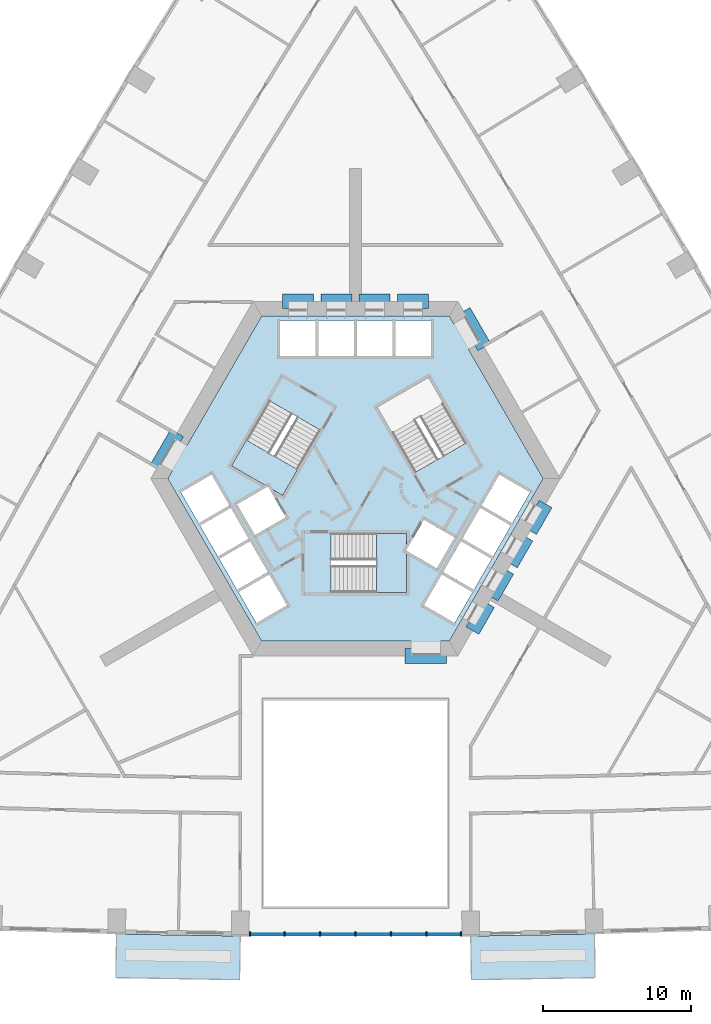
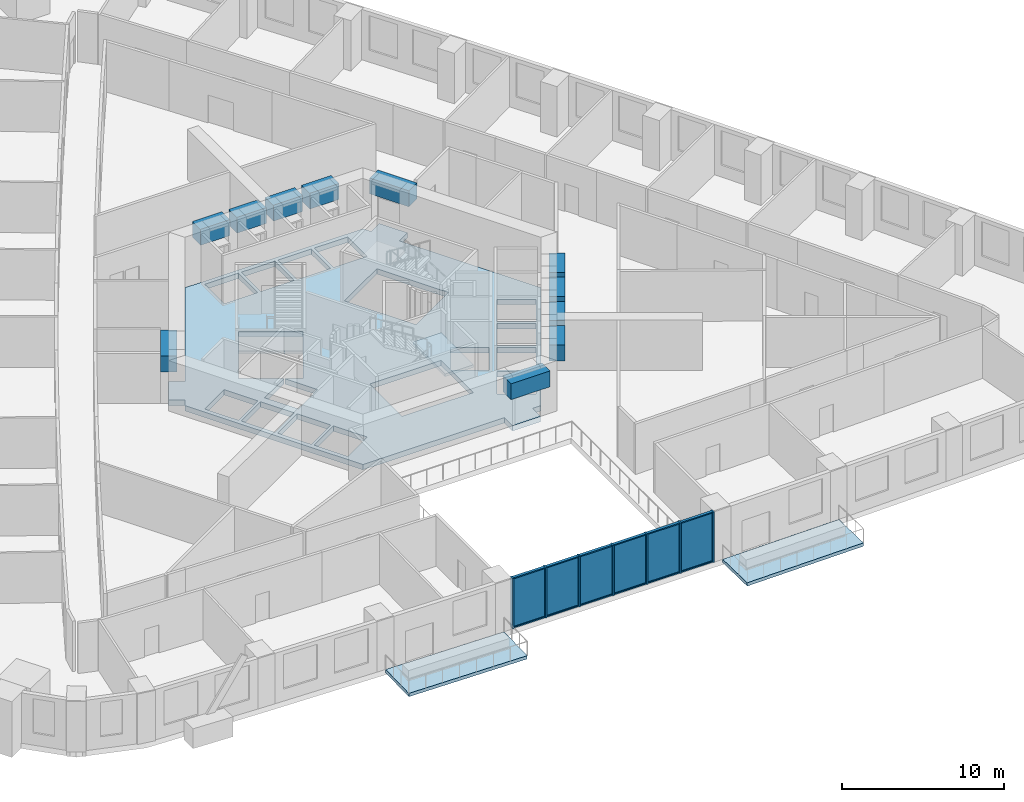
# One storey, part 2 of 15: 19 members, 11 beams, 6 plates, 5 slabs, 3 elements without a shape of their own.
"""IFC4 building model written with IfcOpenShell, lengths in metres."""

from ifc_helpers import new_model, si_unit, direction, frame, origin, origin_2d, place, context, subcontext, project, spatial, polyline, rectangle, outline, extrude, material, layer, layer_set, material_profile, profile_set, type_object, element, aggregate, save


model = new_model("IFC4")

# Units and contexts
model_context = context("Model", 3, precision=1e-05, world=origin(), true_north=direction((0.0, 1.0)))
body_context = subcontext(model_context, "Body", "Model", "MODEL_VIEW")
ifc_project = project(units=[si_unit("LENGTHUNIT", "METRE"), si_unit("AREAUNIT", "SQUARE_METRE"), si_unit("VOLUMEUNIT", "CUBIC_METRE"), si_unit("PLANEANGLEUNIT", "RADIAN"), si_unit("MASSUNIT", "GRAM", prefix="KILO")], contexts=[model_context])

# Site, building, storey
site_placement = place(None, origin())
site = spatial("IfcSite", under=ifc_project, at=site_placement, CompositionType="ELEMENT")
building_placement = place(site_placement, origin())
building = spatial("IfcBuilding", under=site, at=building_placement, Name="Entoto Arch Interchange Tower", CompositionType="ELEMENT")
storey_placement = place(building_placement, frame((0.0, 0.0, 39.199951171875)))
storey = spatial("IfcBuildingStorey", under=building, at=storey_placement, Name="L07", CompositionType="ELEMENT", Elevation=39.199951171875)

# Beams
ifc_material_1 = material(Name="Concrete C60/75", Category="concrete")
ifc_material_profile_1 = material_profile(ifc_material_1, rectangle(XDim=1.0, YDim=1.199951171875, at=origin_2d()))
ifc_profile_set_1 = profile_set([ifc_material_profile_1], Name="Concrete C60/75")
beam_type = type_object("IfcBeamType", Name="Coupling beam RC 1000x1200 C60/75", PredefinedType="BEAM", material=ifc_profile_set_1)
beam_1_placement = place(storey_placement, frame((8.717041015625, 11.402099609375, 3.0), z_axis=(-0.500200581029, 0.865909567298, 0.0), x_axis=(-0.865909567298, -0.500200581029, 0.0)))
element("IfcBeam", 1, at=beam_1_placement, inside=storey, type_object=beam_type, Name="Coupling beam NE L07", PredefinedType="BEAM", context=body_context, shape_type="SweptSolid", body=[
    extrude(rectangle(XDim=1.0, YDim=1.199951171875, at=origin_2d()), origin(), (0.0, 0.0, 1.0), 2.799072265625),
])
beam_2_placement = place(storey_placement, frame((4.949951171875, 14.5, 3.0), z_axis=(-1.0, 0.0, 0.0), x_axis=(0.0, -1.0, 0.0)))
element("IfcBeam", 2, at=beam_2_placement, inside=storey, type_object=beam_type, Name="Coupling beam N L07", PredefinedType="BEAM", context=body_context, shape_type="SweptSolid", body=[
    extrude(rectangle(XDim=1.0, YDim=1.199951171875, at=origin_2d()), origin(), (0.0, 0.0, 1.0), 2.099853515625),
])
for number, where, z_axis, x_axis, name in (
    (3, (2.35009765625, 14.5, 3.0), (-1.0, 0.0, 0.0), (0.0, -1.0, 0.0), "Coupling beam N L07"),
    (4, (-0.25, 14.5, 3.0), (-1.0, 0.0, 0.0), (0.0, -1.0, 0.0), "Coupling beam N L07"),
):
    element("IfcBeam", number, at=place(storey_placement, frame(where, z_axis=z_axis, x_axis=x_axis)), inside=storey, type_object=beam_type, Name=name, PredefinedType="BEAM", context=body_context, shape_type="SweptSolid", body=[
        extrude(rectangle(XDim=1.0, YDim=1.199951171875, at=origin_2d()), origin(), (0.0, 0.0, 1.0), 2.10009765625),
    ])
beam_3_placement = place(storey_placement, frame((-2.85009765625, 14.5, 3.0), z_axis=(-1.0, 0.0, 0.0), x_axis=(0.0, -1.0, 0.0)))
element("IfcBeam", 5, at=beam_3_placement, inside=storey, type_object=beam_type, Name="Coupling beam N L07", PredefinedType="BEAM", context=body_context, shape_type="SweptSolid", body=[
    extrude(rectangle(XDim=1.0, YDim=1.199951171875, at=origin_2d()), origin(), (0.0, 0.0, 1.0), 2.099853515625),
])
beam_4_placement = place(storey_placement, frame((-12.06689453125, 5.597900390625, 3.0), z_axis=(-0.500200581029, -0.865909567298, 0.0), x_axis=(0.865909567298, -0.500200581029, 0.0)))
element("IfcBeam", 6, at=beam_4_placement, inside=storey, type_object=beam_type, Name="Coupling beam NW L07", PredefinedType="BEAM", context=body_context, shape_type="SweptSolid", body=[
    extrude(rectangle(XDim=1.0, YDim=1.199951171875, at=origin_2d()), origin(), (0.0, 0.0, 1.0), 2.799072265625),
])
beam_5_placement = place(storey_placement, frame((3.35009765625, -9.5, 3.0), z_axis=(1.0, 0.0, 0.0), x_axis=(0.0, 1.0, 0.0)))
element("IfcBeam", 7, at=beam_5_placement, inside=storey, type_object=beam_type, Name="Coupling beam S L07", PredefinedType="BEAM", context=body_context, shape_type="SweptSolid", body=[
    extrude(rectangle(XDim=1.0, YDim=1.199951171875, at=origin_2d()), origin(), (0.0, 0.0, 1.0), 2.7998046875),
])
for number, where, z_axis, x_axis, name in (
    (8, (7.9169921875, -7.785888671875, 3.0), (0.500178781653, 0.865922159541, 0.0), (-0.865922159541, 0.500178781653, 0.0), "Coupling beam SE L07"),
    (9, (9.217041015625, -5.534912109375, 3.0), (0.500178781653, 0.865922159541, 0.0), (-0.865922159541, 0.500178781653, 0.0), "Coupling beam SE L07"),
):
    element("IfcBeam", number, at=place(storey_placement, frame(where, z_axis=z_axis, x_axis=x_axis)), inside=storey, type_object=beam_type, Name=name, PredefinedType="BEAM", context=body_context, shape_type="SweptSolid", body=[
        extrude(rectangle(XDim=1.0, YDim=1.199951171875, at=origin_2d()), origin(), (0.0, 0.0, 1.0), 2.099365234375),
    ])
beam_6_placement = place(storey_placement, frame((10.51708984375, -3.282958984375, 3.0), z_axis=(0.500091574638, 0.865972526687, 0.0), x_axis=(-0.865972526687, 0.500091574638, 0.0)))
element("IfcBeam", 10, at=beam_6_placement, inside=storey, type_object=beam_type, Name="Coupling beam SE L07", PredefinedType="BEAM", context=body_context, shape_type="SweptSolid", body=[
    extrude(rectangle(XDim=1.0, YDim=1.199951171875, at=origin_2d()), origin(), (0.0, 0.0, 1.0), 2.09912109375),
])
beam_7_placement = place(storey_placement, frame((11.81689453125, -1.031982421875, 3.0), z_axis=(0.500178781653, 0.865922159541, 0.0), x_axis=(-0.865922159541, 0.500178781653, 0.0)))
element("IfcBeam", 11, at=beam_7_placement, inside=storey, type_object=beam_type, Name="Coupling beam SE L07", PredefinedType="BEAM", context=body_context, shape_type="SweptSolid", body=[
    extrude(rectangle(XDim=1.0, YDim=1.199951171875, at=origin_2d()), origin(), (0.0, 0.0, 1.0), 2.099365234375),
])

# Curtain wall, members
ifc_material_2 = material(Name="Aluminium, anodised", Category="aluminium")
curtain_wall_type = type_object("IfcCurtainWallType", Name="CURTAIN WALL ATRIUM", PredefinedType="NOTDEFINED", material=ifc_material_2)
curtain_wall_placement = place(storey_placement, origin())
curtain_wall = element("IfcCurtainWall", 12, at=curtain_wall_placement, inside=storey, type_object=curtain_wall_type, Name="Atrium glazing S-04 L07", PredefinedType="NOTDEFINED")
ifc_material_profile_2 = material_profile(ifc_material_2, rectangle(XDim=0.300048828125, YDim=0.10009765625, at=origin_2d()))
ifc_profile_set_2 = profile_set([ifc_material_profile_2], Name="Aluminium, anodised")
member_type_1 = type_object("IfcMemberType", Name="MULLION ATRIUM 100x300", PredefinedType="MULLION", material=ifc_profile_set_2)
member_1_placement = place(storey_placement, frame((-7.14794921875, -28.3330078125, 0.0), z_axis=(0.0, 0.0, 1.0), x_axis=(0.0, 1.0, 0.0)))
member_1 = element("IfcMember", 13, at=member_1_placement, type_object=member_type_1, Name="CWA mullion 1", PredefinedType="MULLION", context=body_context, shape_type="SweptSolid", body=[
    extrude(rectangle(XDim=0.300048828125, YDim=0.10009765625, at=origin_2d()), origin(), (0.0, 0.0, 1.0), 3.800048828125),
])
member_2_placement = place(storey_placement, frame((-4.798583984375, -28.3330078125, 0.0), z_axis=(0.0, 0.0, 1.0), x_axis=(0.0, 1.0, 0.0)))
member_2 = element("IfcMember", 14, at=member_2_placement, type_object=member_type_1, Name="CWA mullion 2", PredefinedType="MULLION", context=body_context, shape_type="SweptSolid", body=[
    extrude(rectangle(XDim=0.300048828125, YDim=0.10009765625, at=origin_2d()), origin(), (0.0, 0.0, 1.0), 3.800048828125),
])
member_3_placement = place(storey_placement, frame((-2.3994140625, -28.3330078125, 0.0), z_axis=(0.0, 0.0, 1.0), x_axis=(0.0, 1.0, 0.0)))
member_3 = element("IfcMember", 15, at=member_3_placement, type_object=member_type_1, Name="CWA mullion 3", PredefinedType="MULLION", context=body_context, shape_type="SweptSolid", body=[
    extrude(rectangle(XDim=0.300048828125, YDim=0.10009765625, at=origin_2d()), origin(), (0.0, 0.0, 1.0), 3.800048828125),
])
member_4_placement = place(storey_placement, frame((0.0, -28.3330078125, 0.0), z_axis=(0.0, 0.0, 1.0), x_axis=(0.0, 1.0, 0.0)))
member_4 = element("IfcMember", 16, at=member_4_placement, type_object=member_type_1, Name="CWA mullion 4", PredefinedType="MULLION", context=body_context, shape_type="SweptSolid", body=[
    extrude(rectangle(XDim=0.300048828125, YDim=0.10009765625, at=origin_2d()), origin(), (0.0, 0.0, 1.0), 3.800048828125),
])
member_5_placement = place(storey_placement, frame((2.3994140625, -28.3330078125, 0.0), z_axis=(0.0, 0.0, 1.0), x_axis=(0.0, 1.0, 0.0)))
member_5 = element("IfcMember", 17, at=member_5_placement, type_object=member_type_1, Name="CWA mullion 5", PredefinedType="MULLION", context=body_context, shape_type="SweptSolid", body=[
    extrude(rectangle(XDim=0.300048828125, YDim=0.10009765625, at=origin_2d()), origin(), (0.0, 0.0, 1.0), 3.800048828125),
])
member_6_placement = place(storey_placement, frame((4.798583984375, -28.3330078125, 0.0), z_axis=(0.0, 0.0, 1.0), x_axis=(0.0, 1.0, 0.0)))
member_6 = element("IfcMember", 18, at=member_6_placement, type_object=member_type_1, Name="CWA mullion 6", PredefinedType="MULLION", context=body_context, shape_type="SweptSolid", body=[
    extrude(rectangle(XDim=0.300048828125, YDim=0.10009765625, at=origin_2d()), origin(), (0.0, 0.0, 1.0), 3.800048828125),
])
member_7_placement = place(storey_placement, frame((7.14794921875, -28.3330078125, 0.0), z_axis=(0.0, 0.0, 1.0), x_axis=(0.0, 1.0, 0.0)))
member_7 = element("IfcMember", 19, at=member_7_placement, type_object=member_type_1, Name="CWA mullion 7", PredefinedType="MULLION", context=body_context, shape_type="SweptSolid", body=[
    extrude(rectangle(XDim=0.300048828125, YDim=0.10009765625, at=origin_2d()), origin(), (0.0, 0.0, 1.0), 3.800048828125),
])
ifc_material_profile_3 = material_profile(ifc_material_2, rectangle(XDim=0.199951171875, YDim=0.080078125, at=origin_2d()))
ifc_profile_set_3 = profile_set([ifc_material_profile_3], Name="Aluminium, anodised")
member_type_2 = type_object("IfcMemberType", Name="TRANSOM ATRIUM 80x200", PredefinedType="USERDEFINED", material=ifc_profile_set_3)
member_8_placement = place(storey_placement, frame((-7.097900390625, -28.3330078125, 0.0400390625), z_axis=(1.0, 0.0, 0.0), x_axis=(0.0, 1.0, 0.0)))
member_8 = element("IfcMember", 20, at=member_8_placement, type_object=member_type_2, Name="CWA transom 1.1", ObjectType="TRANSOM", PredefinedType="USERDEFINED", context=body_context, shape_type="SweptSolid", body=[
    extrude(rectangle(XDim=0.199951171875, YDim=0.080078125, at=origin_2d()), origin(), (0.0, 0.0, 1.0), 2.249267578125),
])
member_9_placement = place(storey_placement, frame((-7.097900390625, -28.3330078125, 3.760009765625), z_axis=(1.0, 0.0, 0.0), x_axis=(0.0, 1.0, 0.0)))
member_9 = element("IfcMember", 21, at=member_9_placement, type_object=member_type_2, Name="CWA transom 1.2", ObjectType="TRANSOM", PredefinedType="USERDEFINED", context=body_context, shape_type="SweptSolid", body=[
    extrude(rectangle(XDim=0.199951171875, YDim=0.080078125, at=origin_2d()), origin(), (0.0, 0.0, 1.0), 2.249267578125),
])
member_10_placement = place(storey_placement, frame((-4.748779296875, -28.3330078125, 0.0400390625), z_axis=(1.0, 0.0, 0.0), x_axis=(0.0, 1.0, 0.0)))
member_10 = element("IfcMember", 22, at=member_10_placement, type_object=member_type_2, Name="CWA transom 2.1", ObjectType="TRANSOM", PredefinedType="USERDEFINED", context=body_context, shape_type="SweptSolid", body=[
    extrude(rectangle(XDim=0.199951171875, YDim=0.080078125, at=origin_2d()), origin(), (0.0, 0.0, 1.0), 2.299560546875),
])
member_11_placement = place(storey_placement, frame((-4.748779296875, -28.3330078125, 3.760009765625), z_axis=(1.0, 0.0, 0.0), x_axis=(0.0, 1.0, 0.0)))
member_11 = element("IfcMember", 23, at=member_11_placement, type_object=member_type_2, Name="CWA transom 2.2", ObjectType="TRANSOM", PredefinedType="USERDEFINED", context=body_context, shape_type="SweptSolid", body=[
    extrude(rectangle(XDim=0.199951171875, YDim=0.080078125, at=origin_2d()), origin(), (0.0, 0.0, 1.0), 2.299560546875),
])
member_12_placement = place(storey_placement, frame((-2.349365234375, -28.3330078125, 0.0400390625), z_axis=(1.0, 0.0, 0.0), x_axis=(0.0, 1.0, 0.0)))
member_12 = element("IfcMember", 24, at=member_12_placement, type_object=member_type_2, Name="CWA transom 3.1", ObjectType="TRANSOM", PredefinedType="USERDEFINED", context=body_context, shape_type="SweptSolid", body=[
    extrude(rectangle(XDim=0.199951171875, YDim=0.080078125, at=origin_2d()), origin(), (0.0, 0.0, 1.0), 2.29931640625),
])
member_13_placement = place(storey_placement, frame((-2.349365234375, -28.3330078125, 3.760009765625), z_axis=(1.0, 0.0, 0.0), x_axis=(0.0, 1.0, 0.0)))
member_13 = element("IfcMember", 25, at=member_13_placement, type_object=member_type_2, Name="CWA transom 3.2", ObjectType="TRANSOM", PredefinedType="USERDEFINED", context=body_context, shape_type="SweptSolid", body=[
    extrude(rectangle(XDim=0.199951171875, YDim=0.080078125, at=origin_2d()), origin(), (0.0, 0.0, 1.0), 2.29931640625),
])
member_14_placement = place(storey_placement, frame((0.050048828125, -28.3330078125, 0.0400390625), z_axis=(1.0, 0.0, 0.0), x_axis=(0.0, 1.0, 0.0)))
member_14 = element("IfcMember", 26, at=member_14_placement, type_object=member_type_2, Name="CWA transom 4.1", ObjectType="TRANSOM", PredefinedType="USERDEFINED", context=body_context, shape_type="SweptSolid", body=[
    extrude(rectangle(XDim=0.199951171875, YDim=0.080078125, at=origin_2d()), origin(), (0.0, 0.0, 1.0), 2.29931640625),
])
member_15_placement = place(storey_placement, frame((0.050048828125, -28.3330078125, 3.760009765625), z_axis=(1.0, 0.0, 0.0), x_axis=(0.0, 1.0, 0.0)))
member_15 = element("IfcMember", 27, at=member_15_placement, type_object=member_type_2, Name="CWA transom 4.2", ObjectType="TRANSOM", PredefinedType="USERDEFINED", context=body_context, shape_type="SweptSolid", body=[
    extrude(rectangle(XDim=0.199951171875, YDim=0.080078125, at=origin_2d()), origin(), (0.0, 0.0, 1.0), 2.29931640625),
])
member_16_placement = place(storey_placement, frame((2.44921875, -28.3330078125, 0.0400390625), z_axis=(1.0, 0.0, 0.0), x_axis=(0.0, 1.0, 0.0)))
member_16 = element("IfcMember", 28, at=member_16_placement, type_object=member_type_2, Name="CWA transom 5.1", ObjectType="TRANSOM", PredefinedType="USERDEFINED", context=body_context, shape_type="SweptSolid", body=[
    extrude(rectangle(XDim=0.199951171875, YDim=0.080078125, at=origin_2d()), origin(), (0.0, 0.0, 1.0), 2.299560546875),
])
member_17_placement = place(storey_placement, frame((2.44921875, -28.3330078125, 3.760009765625), z_axis=(1.0, 0.0, 0.0), x_axis=(0.0, 1.0, 0.0)))
member_17 = element("IfcMember", 29, at=member_17_placement, type_object=member_type_2, Name="CWA transom 5.2", ObjectType="TRANSOM", PredefinedType="USERDEFINED", context=body_context, shape_type="SweptSolid", body=[
    extrude(rectangle(XDim=0.199951171875, YDim=0.080078125, at=origin_2d()), origin(), (0.0, 0.0, 1.0), 2.299560546875),
])
member_18_placement = place(storey_placement, frame((4.8486328125, -28.3330078125, 0.0400390625), z_axis=(1.0, 0.0, 0.0), x_axis=(0.0, 1.0, 0.0)))
member_18 = element("IfcMember", 30, at=member_18_placement, type_object=member_type_2, Name="CWA transom 6.1", ObjectType="TRANSOM", PredefinedType="USERDEFINED", context=body_context, shape_type="SweptSolid", body=[
    extrude(rectangle(XDim=0.199951171875, YDim=0.080078125, at=origin_2d()), origin(), (0.0, 0.0, 1.0), 2.249267578125),
])
member_19_placement = place(storey_placement, frame((4.8486328125, -28.3330078125, 3.760009765625), z_axis=(1.0, 0.0, 0.0), x_axis=(0.0, 1.0, 0.0)))
member_19 = element("IfcMember", 31, at=member_19_placement, type_object=member_type_2, Name="CWA transom 6.2", ObjectType="TRANSOM", PredefinedType="USERDEFINED", context=body_context, shape_type="SweptSolid", body=[
    extrude(rectangle(XDim=0.199951171875, YDim=0.080078125, at=origin_2d()), origin(), (0.0, 0.0, 1.0), 2.249267578125),
])

# Slabs
ifc_material_3 = material(Name="Board-marked precast concrete C50/60", Category="concrete")
ifc_layer_1 = layer(ifc_material_3, 0.25)
ifc_layer_set_1 = layer_set([ifc_layer_1], Name="Board-marked precast concrete C50/60")
slab_type_1 = type_object("IfcSlabType", Name="BALCONY DECK PRECAST 250", PredefinedType="FLOOR", material=ifc_layer_set_1)
slab_1_placement = place(storey_placement, frame((0.0, 0.0, -0.25)))
element("IfcSlab", 32, at=slab_1_placement, inside=storey, type_object=slab_type_1, Name="Planted balcony S-03 L07", PredefinedType="FLOOR", context=body_context, shape_type="SweptSolid", body=[
    extrude(outline(polyline([(-16.169921875, -28.321044921875), (-7.800048828125, -28.4580078125), (-7.847900390625, -31.407958984375), (-16.218017578125, -31.27099609375), (-16.169921875, -28.321044921875)])), origin(), (0.0, 0.0, 1.0), 0.25),
])
slab_2_placement = place(storey_placement, frame((0.0, 0.0, -0.25)))
element("IfcSlab", 33, at=slab_2_placement, inside=storey, type_object=slab_type_1, Name="Planted balcony S-05 L07", PredefinedType="FLOOR", context=body_context, shape_type="SweptSolid", body=[
    extrude(outline(polyline([(7.800048828125, -28.4580078125), (16.169921875, -28.321044921875), (16.218017578125, -31.27099609375), (7.847900390625, -31.407958984375), (7.800048828125, -28.4580078125)])), origin(), (0.0, 0.0, 1.0), 0.25),
])
ifc_material_4 = material(Name="Concrete C40/50", Category="concrete")
ifc_layer_2 = layer(ifc_material_4, 0.39990234375)
ifc_layer_set_2 = layer_set([ifc_layer_2], Name="Concrete C40/50")
slab_type_2 = type_object("IfcSlabType", Name="Core floor slab 400 C40/50", PredefinedType="FLOOR", material=ifc_layer_set_2)
slab_3_placement = place(storey_placement, frame((0.0, 0.0, -0.39990234375)))
element("IfcSlab", 34, at=slab_3_placement, inside=storey, type_object=slab_type_2, Name="Core floor slab L07", PredefinedType="FLOOR", context=body_context, shape_type="SweptSolid", body=[
    extrude(outline(polyline([(5.75, -9.5), (3.75, -9.5), (3.75, -8.5), (-6.35107421875, -8.5), (-12.701904296875, 2.5), (-12.402099609375, 3.02001953125), (-13.26708984375, 3.52001953125), (-12.26708984375, 5.251953125), (-11.402099609375, 4.751953125), (-6.35107421875, 13.5), (6.35107421875, 13.5), (6.65087890625, 12.97998046875), (7.51708984375, 13.47998046875), (8.51708984375, 11.748046875), (7.65087890625, 11.248046875), (12.701904296875, 2.5), (6.35107421875, -8.5), (5.75, -8.5), (5.75, -9.5)]), holes=[polyline([(-4.637939453125, -6.06689453125), (-5.837890625, -3.988037109375), (-7.916015625, -5.18798828125), (-6.716064453125, -7.26708984375), (-4.637939453125, -6.06689453125)]), polyline([(-5.93798828125, -3.81494140625), (-7.137939453125, -1.737060546875), (-9.216064453125, -2.93701171875), (-8.01611328125, -5.014892578125), (-5.93798828125, -3.81494140625)]), polyline([(5.5048828125, -3.56494140625), (6.705078125, -1.487060546875), (4.626953125, -0.287109375), (3.449951171875, -2.324951171875), (3.449951171875, -1.199951171875), (-1.64990234375, -1.199951171875), (-1.64990234375, -5.199951171875), (3.449951171875, -5.199951171875), (3.449951171875, -2.3779296875), (5.5048828125, -3.56494140625)]), polyline([(-7.238037109375, -1.56298828125), (-8.43798828125, 0.514892578125), (-10.51611328125, -0.68505859375), (-9.31591796875, -2.762939453125), (-7.238037109375, -1.56298828125)]), polyline([(-4.72705078125, -0.113037109375), (-5.904052734375, 1.925048828125), (-4.928955078125, 1.362060546875), (-2.37890625, 5.779052734375), (-5.843017578125, 7.779052734375), (-8.39306640625, 3.362060546875), (-5.949951171875, 1.951904296875), (-8.0048828125, 0.764892578125), (-6.804931640625, -1.31298828125), (-4.72705078125, -0.113037109375)]), polyline([(-8.5380859375, 0.68798828125), (-9.738037109375, 2.76708984375), (-11.81591796875, 1.56689453125), (-10.615966796875, -0.511962890625), (-8.5380859375, 0.68798828125)]), polyline([(-5.10009765625, 10.800048828125), (-2.699951171875, 10.800048828125), (-2.699951171875, 13.199951171875), (-5.10009765625, 13.199951171875), (-5.10009765625, 10.800048828125)]), polyline([(-2.5, 10.800048828125), (-0.10009765625, 10.800048828125), (-0.10009765625, 13.199951171875), (-2.5, 13.199951171875), (-2.5, 10.800048828125)]), polyline([(5.837890625, -3.988037109375), (4.637939453125, -6.06689453125), (6.716064453125, -7.26708984375), (7.916015625, -5.18798828125), (5.837890625, -3.988037109375)]), polyline([(7.137939453125, -1.737060546875), (5.93798828125, -3.81494140625), (8.01611328125, -5.014892578125), (9.216064453125, -2.93701171875), (7.137939453125, -1.737060546875)]), polyline([(8.43798828125, 0.514892578125), (7.238037109375, -1.56298828125), (9.31591796875, -2.762939453125), (10.51611328125, -0.68505859375), (8.43798828125, 0.514892578125)]), polyline([(9.738037109375, 2.76708984375), (8.5380859375, 0.68798828125), (10.615966796875, -0.511962890625), (11.81591796875, 1.56689453125), (9.738037109375, 2.76708984375)]), polyline([(4.029052734375, 2.9208984375), (7.492919921875, 4.9208984375), (4.943115234375, 9.337890625), (1.47900390625, 7.337890625), (4.029052734375, 2.9208984375)]), polyline([(0.10009765625, 13.199951171875), (0.10009765625, 10.800048828125), (2.5, 10.800048828125), (2.5, 13.199951171875), (0.10009765625, 13.199951171875)]), polyline([(2.699951171875, 13.199951171875), (2.699951171875, 10.800048828125), (5.10009765625, 10.800048828125), (5.10009765625, 13.199951171875), (2.699951171875, 13.199951171875)])]), origin(), (0.0, 0.0, 1.0), 0.39990234375),
])

# Stair, slab
stair_type = type_object("IfcStairType", Name="EXIT STAIR RC 1800", PredefinedType="HALF_TURN_STAIR", material=ifc_material_4)
stair_1_placement = place(storey_placement, origin())
stair_1 = element("IfcStair", 35, at=stair_1_placement, inside=storey, type_object=stair_type, Name="L07 Exit stair S", PredefinedType="HALF_TURN_STAIR")
ifc_layer_3 = layer(ifc_material_4, 0.199951171875)
ifc_layer_set_3 = layer_set([ifc_layer_3], Name="Concrete C40/50")
slab_type_3 = type_object("IfcSlabType", Name="EXIT STAIR LANDING RC 200", PredefinedType="LANDING", material=ifc_layer_set_3)
slab_4_placement = place(storey_placement, frame((0.0, 0.0, 1.900146484375)))
slab_4 = element("IfcSlab", 36, at=slab_4_placement, type_object=slab_type_3, Name="ST-S landing 1", PredefinedType="LANDING", context=body_context, shape_type="SweptSolid", body=[
    extrude(outline(polyline([(1.429931640625, -5.199951171875), (3.449951171875, -5.199951171875), (3.449951171875, -1.199951171875), (1.429931640625, -1.199951171875), (1.429931640625, -5.199951171875)])), origin(), (0.0, 0.0, 1.0), 0.199951171875),
])
aggregate(stair_1, [slab_4])

stair_2_placement = place(storey_placement, origin())
stair_2 = element("IfcStair", 37, at=stair_2_placement, inside=storey, type_object=stair_type, Name="L07 Exit stair NW", PredefinedType="HALF_TURN_STAIR")
slab_5_placement = place(storey_placement, frame((0.0, 0.0, 1.900146484375)))
slab_5 = element("IfcSlab", 38, at=slab_5_placement, type_object=slab_type_3, Name="ST-NW landing 1", PredefinedType="LANDING", context=body_context, shape_type="SweptSolid", body=[
    extrude(outline(polyline([(-7.38330078125, 5.111572265625), (-8.393310546875, 3.3623046875), (-4.92919921875, 1.3623046875), (-3.919189453125, 3.111572265625), (-7.38330078125, 5.111572265625)])), origin(), (0.0, 0.0, 1.0), 0.199951171875),
])
aggregate(stair_2, [slab_5])

# Plate
ifc_material_5 = material(Name="Clear glass, low-e double glazed", Category="glass")
ifc_layer_4 = layer(ifc_material_5, 0.031982421875)
ifc_layer_set_4 = layer_set([ifc_layer_4], Name="Clear glass, low-e double glazed")
plate_type = type_object("IfcPlateType", Name="GLAZING PANEL ATRIUM 32", PredefinedType="CURTAIN_PANEL", material=ifc_layer_set_4)
plate_1_placement = place(storey_placement, frame((-5.973388671875, -28.3330078125, 0.080078125), z_axis=(0.0, 0.0, 1.0), x_axis=(1.0, 0.0, 0.0)))
plate_1 = element("IfcPlate", 39, at=plate_1_placement, type_object=plate_type, Name="CWA panel 1.1", PredefinedType="CURTAIN_PANEL", context=body_context, shape_type="SweptSolid", body=[
    extrude(rectangle(XDim=2.249267578125, YDim=0.031982421875, at=origin_2d()), origin(), (0.0, 0.0, 1.0), 3.639892578125),
])

plate_2_placement = place(storey_placement, frame((-3.59912109375, -28.3330078125, 0.080078125), z_axis=(0.0, 0.0, 1.0), x_axis=(1.0, 0.0, 0.0)))
plate_2 = element("IfcPlate", 40, at=plate_2_placement, type_object=plate_type, Name="CWA panel 2.1", PredefinedType="CURTAIN_PANEL", context=body_context, shape_type="SweptSolid", body=[
    extrude(rectangle(XDim=2.29931640625, YDim=0.031982421875, at=origin_2d()), origin(), (0.0, 0.0, 1.0), 3.639892578125),
])

plate_3_placement = place(storey_placement, frame((-1.19970703125, -28.3330078125, 0.080078125), z_axis=(0.0, 0.0, 1.0), x_axis=(1.0, 0.0, 0.0)))
plate_3 = element("IfcPlate", 41, at=plate_3_placement, type_object=plate_type, Name="CWA panel 3.1", PredefinedType="CURTAIN_PANEL", context=body_context, shape_type="SweptSolid", body=[
    extrude(rectangle(XDim=2.29931640625, YDim=0.031982421875, at=origin_2d()), origin(), (0.0, 0.0, 1.0), 3.639892578125),
])

plate_4_placement = place(storey_placement, frame((1.19970703125, -28.3330078125, 0.080078125), z_axis=(0.0, 0.0, 1.0), x_axis=(1.0, 0.0, 0.0)))
plate_4 = element("IfcPlate", 42, at=plate_4_placement, type_object=plate_type, Name="CWA panel 4.1", PredefinedType="CURTAIN_PANEL", context=body_context, shape_type="SweptSolid", body=[
    extrude(rectangle(XDim=2.29931640625, YDim=0.031982421875, at=origin_2d()), origin(), (0.0, 0.0, 1.0), 3.639892578125),
])

plate_5_placement = place(storey_placement, frame((3.59912109375, -28.3330078125, 0.080078125), z_axis=(0.0, 0.0, 1.0), x_axis=(1.0, 0.0, 0.0)))
plate_5 = element("IfcPlate", 43, at=plate_5_placement, type_object=plate_type, Name="CWA panel 5.1", PredefinedType="CURTAIN_PANEL", context=body_context, shape_type="SweptSolid", body=[
    extrude(rectangle(XDim=2.29931640625, YDim=0.031982421875, at=origin_2d()), origin(), (0.0, 0.0, 1.0), 3.639892578125),
])

plate_6_placement = place(storey_placement, frame((5.973388671875, -28.3330078125, 0.080078125), z_axis=(0.0, 0.0, 1.0), x_axis=(1.0, 0.0, 0.0)))
plate_6 = element("IfcPlate", 44, at=plate_6_placement, type_object=plate_type, Name="CWA panel 6.1", PredefinedType="CURTAIN_PANEL", context=body_context, shape_type="SweptSolid", body=[
    extrude(rectangle(XDim=2.249267578125, YDim=0.031982421875, at=origin_2d()), origin(), (0.0, 0.0, 1.0), 3.639892578125),
])

aggregate(curtain_wall, [member_1, member_2, member_3, member_4, member_5, member_6, member_7, member_8, member_9, plate_1, member_10, member_11, plate_2, member_12, member_13, plate_3, member_14, member_15, plate_4, member_16, member_17, plate_5, member_18, member_19, plate_6])

save(model, "model.ifc")
